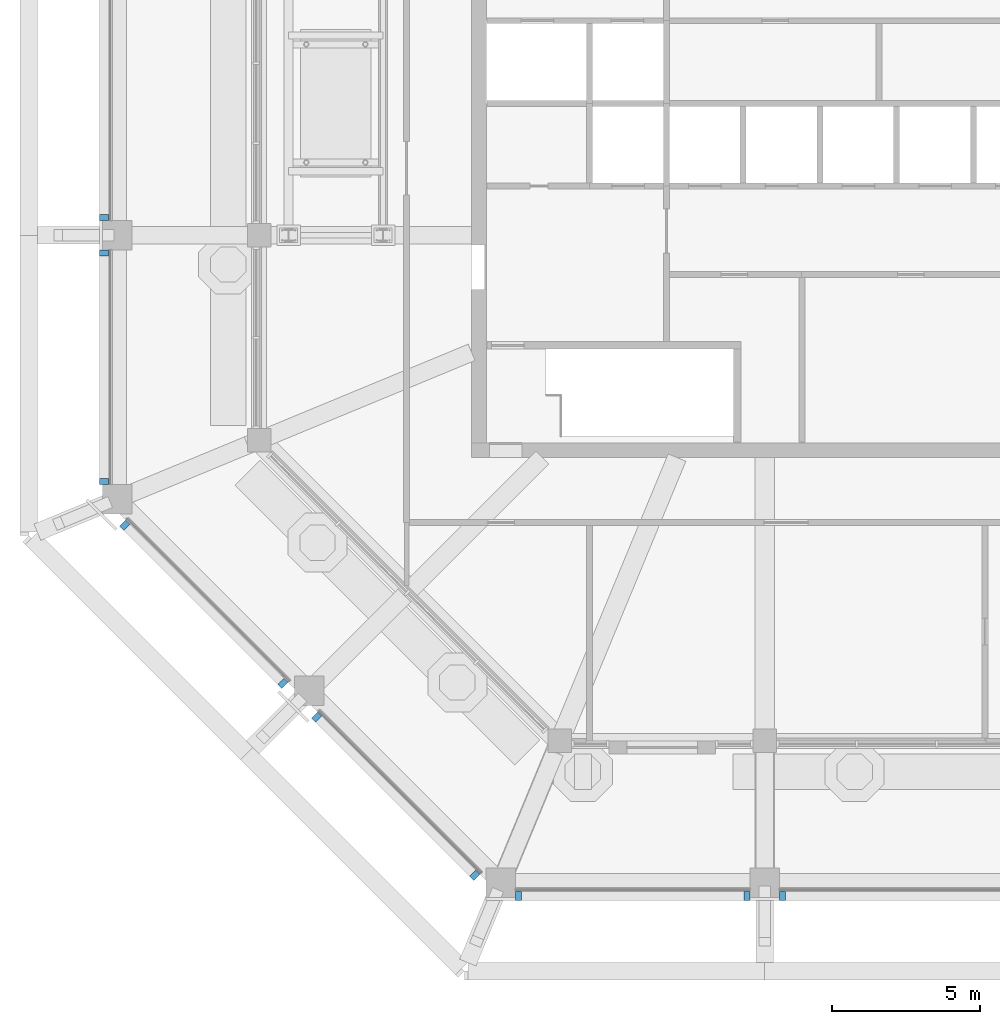
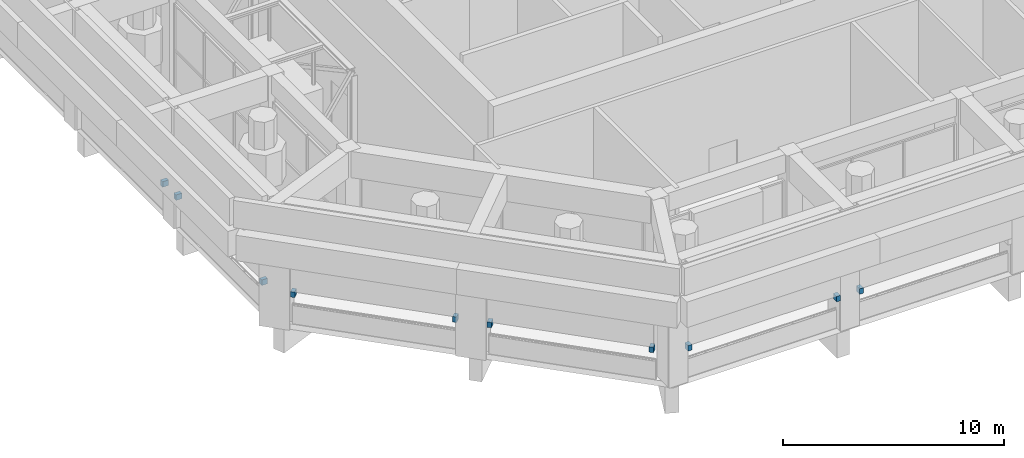
# One storey, part 18 of 29: 10 discrete accessories.
"""IFC4 building model written with IfcOpenShell, lengths in metres."""

from ifc_helpers import new_model, si_unit, direction, frame, origin, origin_2d, place, context, subcontext, project, spatial, rectangle, extrude, material, type_object, element, save


model = new_model("IFC4")

# Units and contexts
model_context = context("Model", 3, precision=1e-05, world=origin(), true_north=direction((0.0, 1.0)))
body_context = subcontext(model_context, "Body", "Model", "MODEL_VIEW")
ifc_project = project(units=[si_unit("LENGTHUNIT", "METRE"), si_unit("AREAUNIT", "SQUARE_METRE"), si_unit("VOLUMEUNIT", "CUBIC_METRE"), si_unit("PLANEANGLEUNIT", "RADIAN"), si_unit("MASSUNIT", "GRAM", prefix="KILO")], contexts=[model_context])

# Site, building, storey
site_placement = place(None, origin())
site = spatial("IfcSite", under=ifc_project, at=site_placement, CompositionType="ELEMENT")
building_placement = place(site_placement, origin())
building = spatial("IfcBuilding", under=site, at=building_placement, Name="Msitu Wima Residences", CompositionType="ELEMENT")
storey_placement = place(building_placement, frame((0.0, 0.0, 320.10009765625)))
storey = spatial("IfcBuildingStorey", under=building, at=storey_placement, Name="L74", CompositionType="ELEMENT", Elevation=320.10009765625)

# Discrete accessories
ifc_material = material(Name="Steel S355, galvanised", Category="steel")
discrete_accessory_type = type_object("IfcDiscreteAccessoryType", Name="Screen support bracket SB200", PredefinedType="BRACKET", material=ifc_material)
for number, where, z_axis, x_axis, name in (
    (1, (-26.85009765625, -3.86865234375, 1.69970703125), (0.0, 0.0, 1.0), (0.0, -1.0, 0.0), "Screen support bracket W1B"),
    (2, (-26.85009765625, -5.068603515625, 1.69970703125), (0.0, 0.0, 1.0), (0.0, -1.0, 0.0), "Screen support bracket W2A"),
    (3, (-26.85009765625, -12.805908203125, 1.69970703125), (0.0, 0.0, 1.0), (0.0, -1.0, 0.0), "Screen support bracket W2B"),
    (4, (-26.1474609375, -14.294677734375, 1.69970703125), (0.0, 0.0, 1.0), (0.707106781187, -0.707106781187, 0.0), "Screen support bracket SW0A"),
    (5, (-20.791748046875, -19.650390625, 1.69970703125), (0.0, 0.0, 1.0), (0.707106781187, -0.707106781187, 0.0), "Screen support bracket SW0B"),
    (6, (-19.650390625, -20.791748046875, 1.69970703125), (0.0, 0.0, 1.0), (0.707106781187, -0.707106781187, 0.0), "Screen support bracket SW1A"),
    (7, (-14.294677734375, -26.1474609375, 1.69970703125), (0.0, 0.0, 1.0), (0.707106781187, -0.707106781187, 0.0), "Screen support bracket SW1B"),
    (8, (-12.805908203125, -26.85009765625, 1.69970703125), (0.0, 0.0, 1.0), (1.0, 0.0, 0.0), "Screen support bracket S0A"),
    (9, (-5.068603515625, -26.85009765625, 1.69970703125), (0.0, 0.0, 1.0), (1.0, 0.0, 0.0), "Screen support bracket S0B"),
    (10, (-3.86865234375, -26.85009765625, 1.69970703125), (0.0, 0.0, 1.0), (1.0, 0.0, 0.0), "Screen support bracket S1A"),
):
    element("IfcDiscreteAccessory", number, at=place(storey_placement, frame(where, z_axis=z_axis, x_axis=x_axis)), inside=storey, type_object=discrete_accessory_type, Name=name, PredefinedType="BRACKET", context=body_context, shape_type="SweptSolid", body=[
        extrude(rectangle(XDim=0.199951171875, YDim=0.300048828125, at=origin_2d()), origin(), (0.0, 0.0, 1.0), 0.300048828125),
    ])

save(model, "model.ifc")
